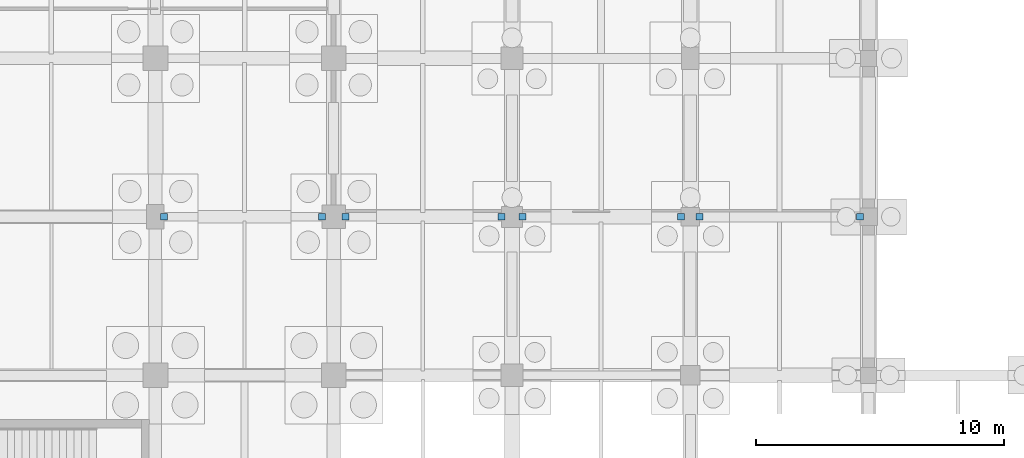
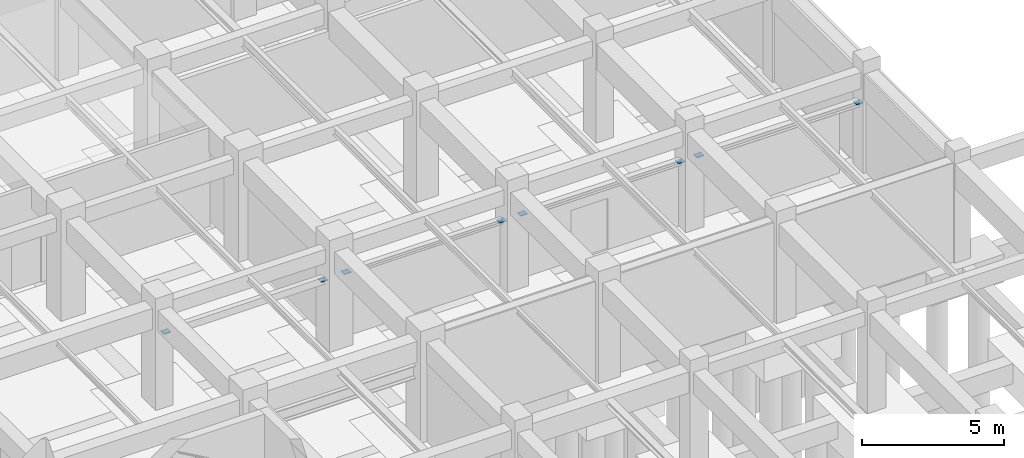
# One storey, part 38 of 44: 8 discrete accessories.
"""IFC4 building model written with IfcOpenShell, lengths in metres."""

from ifc_helpers import new_model, si_unit, direction, frame, origin, origin_2d, place, context, subcontext, project, spatial, rectangle, extrude, material, type_object, element, save


model = new_model("IFC4")

# Units and contexts
model_context = context("Model", 3, precision=1e-05, world=origin(), true_north=direction((0.0, 1.0)))
body_context = subcontext(model_context, "Body", "Model", "MODEL_VIEW")
ifc_project = project(units=[si_unit("LENGTHUNIT", "METRE"), si_unit("AREAUNIT", "SQUARE_METRE"), si_unit("VOLUMEUNIT", "CUBIC_METRE"), si_unit("PLANEANGLEUNIT", "RADIAN"), si_unit("MASSUNIT", "GRAM", prefix="KILO")], contexts=[model_context])

# Site, building, storey
site_placement = place(None, origin())
site = spatial("IfcSite", under=ifc_project, at=site_placement, CompositionType="ELEMENT")
building_placement = place(site_placement, origin())
building = spatial("IfcBuilding", under=site, at=building_placement, Name="Korsvaeld Concert Hall", CompositionType="ELEMENT")
storey_placement = place(building_placement, frame((0.0, 0.0, -4.800048828125)))
storey = spatial("IfcBuildingStorey", under=building, at=storey_placement, Name="B1", CompositionType="ELEMENT", Elevation=-4.800048828125)

# Discrete accessories
ifc_material = material(Name="Steel S355J2", Category="steel")
discrete_accessory_type = type_object("IfcDiscreteAccessoryType", Name="ACC-GUSSET-S355", PredefinedType="BRACKET", material=ifc_material)
for number, where, z_axis, x_axis, name in (
    (1, (117.949951171875, 89.60009765625, 2.837646484375), (0.0, 0.0, 1.0), (1.0, 0.0, 0.0), "Brace and strut S355J2 gusset end-plate 045"),
    (2, (124.324951171875, 89.60009765625, 2.837646484375), (0.0, 0.0, 1.0), (1.0, 0.0, 0.0), "Brace and strut S355J2 gusset end-plate 046"),
    (3, (125.27490234375, 89.60009765625, 2.837646484375), (0.0, 0.0, 1.0), (1.0, 0.0, 0.0), "Brace and strut S355J2 gusset end-plate 047"),
    (4, (131.574951171875, 89.60009765625, 2.837646484375), (0.0, 0.0, 1.0), (1.0, 0.0, 0.0), "Brace and strut S355J2 gusset end-plate 048"),
    (5, (132.425048828125, 89.60009765625, 2.837646484375), (0.0, 0.0, 1.0), (1.0, 0.0, 0.0), "Brace and strut S355J2 gusset end-plate 049"),
    (6, (138.824951171875, 89.60009765625, 2.837646484375), (0.0, 0.0, 1.0), (1.0, 0.0, 0.0), "Brace and strut S355J2 gusset end-plate 050"),
    (7, (139.574951171875, 89.60009765625, 2.837646484375), (0.0, 0.0, 1.0), (1.0, 0.0, 0.0), "Brace and strut S355J2 gusset end-plate 051"),
    (8, (146.050048828125, 89.60009765625, 2.837646484375), (0.0, 0.0, 1.0), (1.0, 0.0, 0.0), "Brace and strut S355J2 gusset end-plate 052"),
):
    element("IfcDiscreteAccessory", number, at=place(storey_placement, frame(where, z_axis=z_axis, x_axis=x_axis)), inside=storey, type_object=discrete_accessory_type, Name=name, PredefinedType="BRACKET", context=body_context, shape_type="SweptSolid", body=[
        extrude(rectangle(XDim=0.280029296875, YDim=0.25, at=origin_2d()), origin(), (0.0, 0.0, 1.0), 0.02490234375),
    ])

save(model, "model.ifc")
